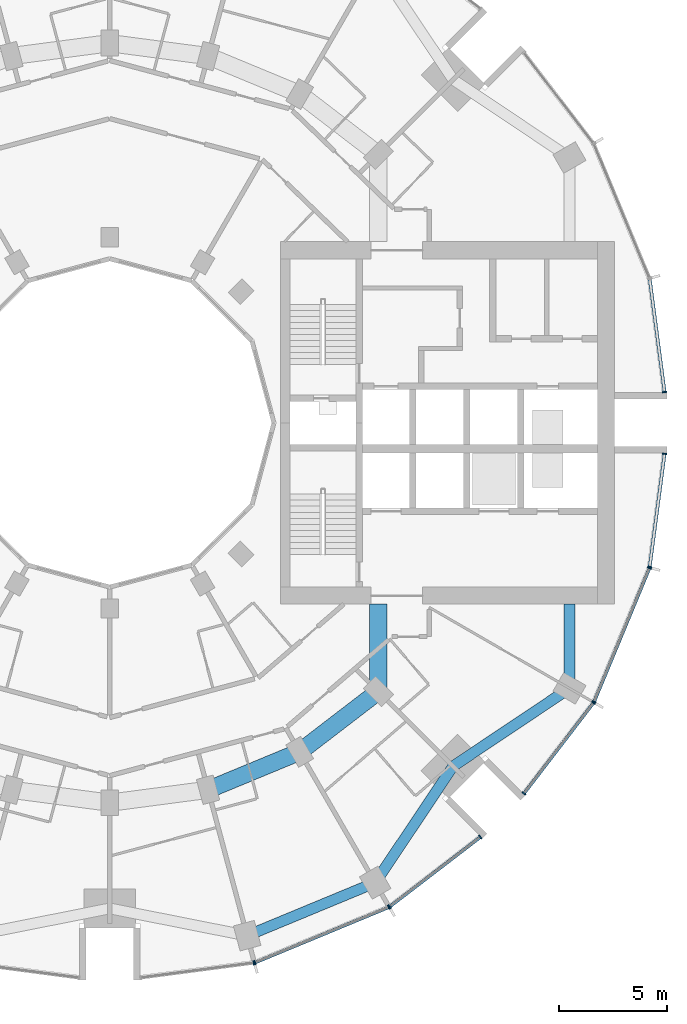
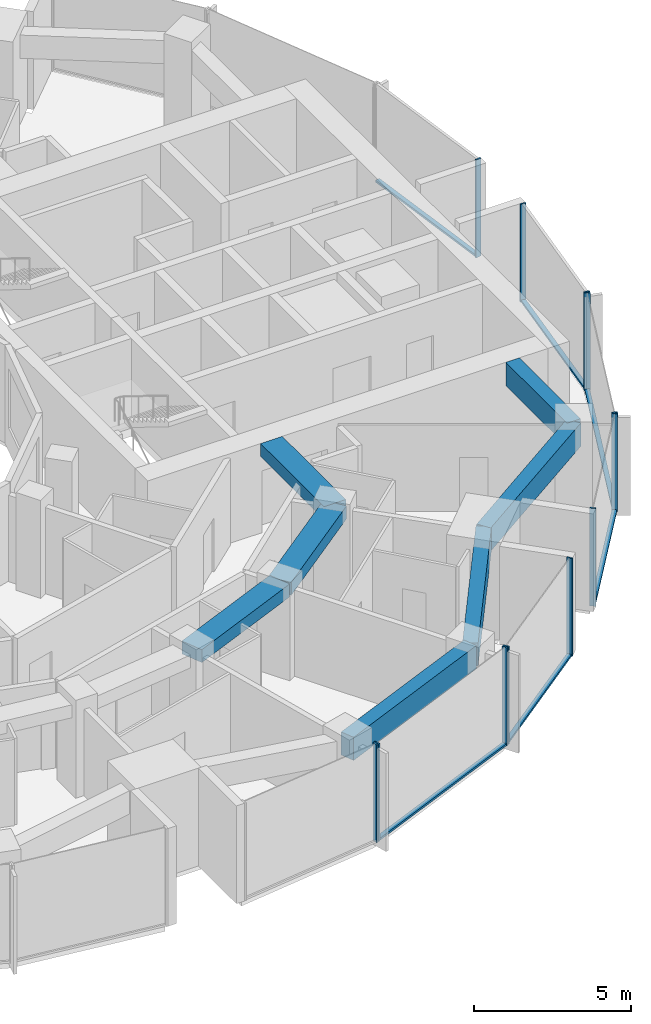
# One storey, part 4 of 15: 18 members, 7 beams, 7 elements without a shape of their own.
"""IFC4 building model written with IfcOpenShell, lengths in metres."""

from ifc_helpers import new_model, si_unit, direction, frame, origin, origin_2d, place, context, subcontext, project, spatial, rectangle, extrude, material, layer, layer_set, material_profile, profile_set, type_object, element, aggregate, save


model = new_model("IFC4")

# Units and contexts
model_context = context("Model", 3, precision=1e-05, world=origin(), true_north=direction((0.0, 1.0)))
body_context = subcontext(model_context, "Body", "Model", "MODEL_VIEW")
ifc_project = project(units=[si_unit("LENGTHUNIT", "METRE"), si_unit("AREAUNIT", "SQUARE_METRE"), si_unit("VOLUMEUNIT", "CUBIC_METRE"), si_unit("PLANEANGLEUNIT", "RADIAN"), si_unit("MASSUNIT", "GRAM", prefix="KILO")], contexts=[model_context])

# Site, building, storey
site_placement = place(None, origin())
site = spatial("IfcSite", under=ifc_project, at=site_placement, CompositionType="ELEMENT")
building_placement = place(site_placement, origin())
building = spatial("IfcBuilding", under=site, at=building_placement, Name="Torre Brocal", CompositionType="ELEMENT")
storey_placement = place(building_placement, frame((0.0, 0.0, 40.199951171875)))
storey = spatial("IfcBuildingStorey", under=building, at=storey_placement, Name="L08", CompositionType="ELEMENT", Elevation=40.199951171875)

# Curtain wall, member
ifc_material_1 = material(Name="Aluminium and glass", Category="aluminium")
ifc_layer_1 = layer(ifc_material_1, 0.199951171875)
ifc_layer_set_1 = layer_set([ifc_layer_1], Name="Aluminium and glass")
curtain_wall_type_1 = type_object("IfcCurtainWallType", Name="CW-1 CURTAIN WALL 3800 HIGH", PredefinedType="NOTDEFINED", material=ifc_layer_set_1)
curtain_wall_1_placement = place(storey_placement, origin())
curtain_wall_1 = element("IfcCurtainWall", 1, at=curtain_wall_1_placement, inside=storey, type_object=curtain_wall_type_1, Name="CW-1 RUN 19", PredefinedType="NOTDEFINED")
ifc_material_2 = material(Name="Aluminium, dark anodised", Category="aluminium")
ifc_material_profile_1 = material_profile(ifc_material_2, rectangle(XDim=0.199951171875, YDim=0.06005859375, at=origin_2d()), Name="CW-1 MULLION 60X200")
ifc_profile_set_1 = profile_set([ifc_material_profile_1], Name="Aluminium, dark anodised")
member_type_1 = type_object("IfcMemberType", Name="CW-1 MULLION 60X200", PredefinedType="MULLION", material=ifc_profile_set_1)
member_1_placement = place(storey_placement, frame((86.67333984375, 49.9794921875, 0.0), z_axis=(0.0, 0.0, 1.0), x_axis=(-0.13052619222, 0.991444861374, 0.0)))
member_1 = element("IfcMember", 2, at=member_1_placement, type_object=member_type_1, Name="CW1-1 mullion 2", PredefinedType="MULLION", context=body_context, shape_type="SweptSolid", body=[
    extrude(rectangle(XDim=0.199951171875, YDim=0.06005859375, at=origin_2d()), origin(), (0.0, 0.0, 1.0), 3.800048828125),
])
aggregate(curtain_wall_1, [member_1])

# Curtain wall, members
curtain_wall_2_placement = place(storey_placement, origin())
curtain_wall_2 = element("IfcCurtainWall", 3, at=curtain_wall_2_placement, inside=storey, type_object=curtain_wall_type_1, Name="CW-1 RUN 20", PredefinedType="NOTDEFINED")
member_2_placement = place(storey_placement, frame((86.73095703125, 49.994873046875, 0.0), z_axis=(0.0, 0.0, 1.0), x_axis=(-0.382683432333, 0.923879532525, 0.0)))
member_2 = element("IfcMember", 4, at=member_2_placement, type_object=member_type_1, Name="CW1-1 mullion 1", PredefinedType="MULLION", context=body_context, shape_type="SweptSolid", body=[
    extrude(rectangle(XDim=0.199951171875, YDim=0.06005859375, at=origin_2d()), origin(), (0.0, 0.0, 1.0), 3.800048828125),
])
member_3_placement = place(storey_placement, frame((92.921875, 52.559326171875, 0.0), z_axis=(0.0, 0.0, 1.0), x_axis=(-0.382683432333, 0.923879532525, 0.0)))
member_3 = element("IfcMember", 5, at=member_3_placement, type_object=member_type_1, Name="CW1-1 mullion 2", PredefinedType="MULLION", context=body_context, shape_type="SweptSolid", body=[
    extrude(rectangle(XDim=0.199951171875, YDim=0.06005859375, at=origin_2d()), origin(), (0.0, 0.0, 1.0), 3.800048828125),
])

curtain_wall_3_placement = place(storey_placement, origin())
curtain_wall_3 = element("IfcCurtainWall", 6, at=curtain_wall_3_placement, inside=storey, type_object=curtain_wall_type_1, Name="CW-1 RUN 21", PredefinedType="NOTDEFINED")
member_4_placement = place(storey_placement, frame((92.973388671875, 52.5888671875, 0.0), z_axis=(0.0, 0.0, 1.0), x_axis=(-0.60876142905, 0.793353340259, 0.0)))
member_4 = element("IfcMember", 7, at=member_4_placement, type_object=member_type_1, Name="CW1-1 mullion 1", PredefinedType="MULLION", context=body_context, shape_type="SweptSolid", body=[
    extrude(rectangle(XDim=0.199951171875, YDim=0.06005859375, at=origin_2d()), origin(), (0.0, 0.0, 1.0), 3.800048828125),
])
member_5_placement = place(storey_placement, frame((97.16943359375, 55.80859375, 0.0), z_axis=(0.0, 0.0, 1.0), x_axis=(-0.60876142905, 0.793353340259, 0.0)))
member_5 = element("IfcMember", 8, at=member_5_placement, type_object=member_type_1, Name="CW1-1 mullion 2", PredefinedType="MULLION", context=body_context, shape_type="SweptSolid", body=[
    extrude(rectangle(XDim=0.199951171875, YDim=0.06005859375, at=origin_2d()), origin(), (0.0, 0.0, 1.0), 3.800048828125),
])

curtain_wall_4_placement = place(storey_placement, origin())
curtain_wall_4 = element("IfcCurtainWall", 9, at=curtain_wall_4_placement, inside=storey, type_object=curtain_wall_type_1, Name="CW-1 RUN 22", PredefinedType="NOTDEFINED")
member_6_placement = place(storey_placement, frame((99.19140625, 57.83056640625, 0.0), z_axis=(0.0, 0.0, 1.0), x_axis=(-0.793353340259, 0.60876142905, 0.0)))
member_6 = element("IfcMember", 10, at=member_6_placement, type_object=member_type_1, Name="CW1-1 mullion 1", PredefinedType="MULLION", context=body_context, shape_type="SweptSolid", body=[
    extrude(rectangle(XDim=0.199951171875, YDim=0.06005859375, at=origin_2d()), origin(), (0.0, 0.0, 1.0), 3.800048828125),
])
member_7_placement = place(storey_placement, frame((102.4111328125, 62.026611328125, 0.0), z_axis=(0.0, 0.0, 1.0), x_axis=(-0.793353340259, 0.60876142905, 0.0)))
member_7 = element("IfcMember", 11, at=member_7_placement, type_object=member_type_1, Name="CW1-1 mullion 2", PredefinedType="MULLION", context=body_context, shape_type="SweptSolid", body=[
    extrude(rectangle(XDim=0.199951171875, YDim=0.06005859375, at=origin_2d()), origin(), (0.0, 0.0, 1.0), 3.800048828125),
])

curtain_wall_5_placement = place(storey_placement, origin())
curtain_wall_5 = element("IfcCurtainWall", 12, at=curtain_wall_5_placement, inside=storey, type_object=curtain_wall_type_1, Name="CW-1 RUN 23", PredefinedType="NOTDEFINED")
member_8_placement = place(storey_placement, frame((102.440673828125, 62.078125, 0.0), z_axis=(0.0, 0.0, 1.0), x_axis=(-0.923879532525, 0.382683432333, 0.0)))
member_8 = element("IfcMember", 13, at=member_8_placement, type_object=member_type_1, Name="CW1-1 mullion 1", PredefinedType="MULLION", context=body_context, shape_type="SweptSolid", body=[
    extrude(rectangle(XDim=0.199951171875, YDim=0.06005859375, at=origin_2d()), origin(), (0.0, 0.0, 1.0), 3.800048828125),
])
member_9_placement = place(storey_placement, frame((105.005126953125, 68.26904296875, 0.0), z_axis=(0.0, 0.0, 1.0), x_axis=(-0.923879532525, 0.382683432333, 0.0)))
member_9 = element("IfcMember", 14, at=member_9_placement, type_object=member_type_1, Name="CW1-1 mullion 2", PredefinedType="MULLION", context=body_context, shape_type="SweptSolid", body=[
    extrude(rectangle(XDim=0.199951171875, YDim=0.06005859375, at=origin_2d()), origin(), (0.0, 0.0, 1.0), 3.800048828125),
])

# Member
ifc_material_3 = material(Name="Aluminium, dark anodised", Category="aluminium")
ifc_material_profile_2 = material_profile(ifc_material_3, rectangle(XDim=0.159912109375, YDim=0.080078125, at=origin_2d()), Name="CW-1 TRANSOM 160X80")
ifc_profile_set_2 = profile_set([ifc_material_profile_2], Name="Aluminium, dark anodised")
member_type_2 = type_object("IfcMemberType", Name="CW-1 TRANSOM 160X80", PredefinedType="USERDEFINED", material=ifc_profile_set_2)
member_10_placement = place(storey_placement, frame((86.758544921875, 50.00634765625, 0.0400390625), z_axis=(0.923887344364, 0.38266457234, 0.0), x_axis=(-0.38266457234, 0.923887344364, 0.0)))
member_10 = element("IfcMember", 15, at=member_10_placement, type_object=member_type_2, Name="CW1-1 transom 1.1", ObjectType="TRANSOM", PredefinedType="USERDEFINED", context=body_context, shape_type="SweptSolid", body=[
    extrude(rectangle(XDim=0.159912109375, YDim=0.080078125, at=origin_2d()), origin(), (0.0, 0.0, 1.0), 6.640869140625),
])

aggregate(curtain_wall_2, [member_2, member_3, member_10])

member_11_placement = place(storey_placement, frame((92.9970703125, 52.607177734375, 0.0400390625), z_axis=(0.79336281513, 0.60874908096, 0.0), x_axis=(-0.60874908096, 0.79336281513, 0.0)))
member_11 = element("IfcMember", 16, at=member_11_placement, type_object=member_type_2, Name="CW1-1 transom 1.1", ObjectType="TRANSOM", PredefinedType="USERDEFINED", context=body_context, shape_type="SweptSolid", body=[
    extrude(rectangle(XDim=0.159912109375, YDim=0.080078125, at=origin_2d()), origin(), (0.0, 0.0, 1.0), 5.22900390625),
])

aggregate(curtain_wall_3, [member_4, member_5, member_11])

member_12_placement = place(storey_placement, frame((99.209716796875, 57.8544921875, 0.0400390625), z_axis=(0.60874908096, 0.79336281513, 0.0), x_axis=(-0.79336281513, 0.60874908096, 0.0)))
member_12 = element("IfcMember", 17, at=member_12_placement, type_object=member_type_2, Name="CW1-1 transom 1.1", ObjectType="TRANSOM", PredefinedType="USERDEFINED", context=body_context, shape_type="SweptSolid", body=[
    extrude(rectangle(XDim=0.159912109375, YDim=0.080078125, at=origin_2d()), origin(), (0.0, 0.0, 1.0), 5.22900390625),
])

aggregate(curtain_wall_4, [member_6, member_7, member_12])

member_13_placement = place(storey_placement, frame((102.452392578125, 62.10595703125, 0.0400390625), z_axis=(0.38266457234, 0.923887344364, 0.0), x_axis=(-0.923887344364, 0.38266457234, 0.0)))
member_13 = element("IfcMember", 18, at=member_13_placement, type_object=member_type_2, Name="CW1-1 transom 1.1", ObjectType="TRANSOM", PredefinedType="USERDEFINED", context=body_context, shape_type="SweptSolid", body=[
    extrude(rectangle(XDim=0.159912109375, YDim=0.080078125, at=origin_2d()), origin(), (0.0, 0.0, 1.0), 6.640869140625),
])

aggregate(curtain_wall_5, [member_8, member_9, member_13])

# Curtain wall, member
ifc_material_4 = material(Name="Aluminium and glass", Category="aluminium")
ifc_layer_2 = layer(ifc_material_4, 0.199951171875)
ifc_layer_set_2 = layer_set([ifc_layer_2], Name="Aluminium and glass")
curtain_wall_type_2 = type_object("IfcCurtainWallType", Name="CW-1B CURTAIN WALL 3800 HIGH", PredefinedType="NOTDEFINED", material=ifc_layer_set_2)
curtain_wall_6_placement = place(storey_placement, origin())
curtain_wall_6 = element("IfcCurtainWall", 19, at=curtain_wall_6_placement, inside=storey, type_object=curtain_wall_type_2, Name="CW-1B RUN 1", PredefinedType="NOTDEFINED")
ifc_material_5 = material(Name="Aluminium, dark anodised", Category="aluminium")
ifc_material_profile_3 = material_profile(ifc_material_5, rectangle(XDim=0.199951171875, YDim=0.06005859375, at=origin_2d()), Name="CW-1B MULLION 60X200")
ifc_profile_set_3 = profile_set([ifc_material_profile_3], Name="Aluminium, dark anodised")
member_type_3 = type_object("IfcMemberType", Name="CW-1B MULLION 60X200", PredefinedType="MULLION", material=ifc_profile_set_3)
member_14_placement = place(storey_placement, frame((105.7109375, 76.4296875, 0.0), z_axis=(0.0, 0.0, 1.0), x_axis=(-0.991444861374, -0.13052619222, 0.0)))
member_14 = element("IfcMember", 20, at=member_14_placement, type_object=member_type_3, Name="CW1B-1 mullion 1", PredefinedType="MULLION", context=body_context, shape_type="SweptSolid", body=[
    extrude(rectangle(XDim=0.199951171875, YDim=0.06005859375, at=origin_2d()), origin(), (0.0, 0.0, 1.0), 3.800048828125),
])

# Curtain wall, members
curtain_wall_7_placement = place(storey_placement, origin())
curtain_wall_7 = element("IfcCurtainWall", 21, at=curtain_wall_7_placement, inside=storey, type_object=curtain_wall_type_2, Name="CW-1B RUN 24", PredefinedType="NOTDEFINED")
member_15_placement = place(storey_placement, frame((105.0205078125, 68.32666015625, 0.0), z_axis=(0.0, 0.0, 1.0), x_axis=(-0.991444861374, 0.13052619222, 0.0)))
member_15 = element("IfcMember", 22, at=member_15_placement, type_object=member_type_3, Name="CW1B-1 mullion 1", PredefinedType="MULLION", context=body_context, shape_type="SweptSolid", body=[
    extrude(rectangle(XDim=0.199951171875, YDim=0.06005859375, at=origin_2d()), origin(), (0.0, 0.0, 1.0), 3.800048828125),
])
member_16_placement = place(storey_placement, frame((105.7109375, 73.5703125, 0.0), z_axis=(0.0, 0.0, 1.0), x_axis=(-0.991444861374, 0.13052619222, 0.0)))
member_16 = element("IfcMember", 23, at=member_16_placement, type_object=member_type_3, Name="CW1B-1 mullion 2", PredefinedType="MULLION", context=body_context, shape_type="SweptSolid", body=[
    extrude(rectangle(XDim=0.199951171875, YDim=0.06005859375, at=origin_2d()), origin(), (0.0, 0.0, 1.0), 3.800048828125),
])

# Member
ifc_material_6 = material(Name="Aluminium, dark anodised", Category="aluminium")
ifc_material_profile_4 = material_profile(ifc_material_6, rectangle(XDim=0.159912109375, YDim=0.080078125, at=origin_2d()), Name="CW-1B TRANSOM 160X80")
ifc_profile_set_4 = profile_set([ifc_material_profile_4], Name="Aluminium, dark anodised")
member_type_4 = type_object("IfcMemberType", Name="CW-1B TRANSOM 160X80", PredefinedType="USERDEFINED", material=ifc_profile_set_4)
member_17_placement = place(storey_placement, frame((105.70703125, 76.45947265625, 0.0400390625), z_axis=(-0.130542677827, 0.991442690863, 0.0), x_axis=(-0.991442690863, -0.130542677827, 0.0)))
member_17 = element("IfcMember", 24, at=member_17_placement, type_object=member_type_4, Name="CW1B-1 transom 1.1", ObjectType="TRANSOM", PredefinedType="USERDEFINED", context=body_context, shape_type="SweptSolid", body=[
    extrude(rectangle(XDim=0.159912109375, YDim=0.080078125, at=origin_2d()), origin(), (0.0, 0.0, 1.0), 5.22900390625),
])

aggregate(curtain_wall_6, [member_14, member_17])

member_18_placement = place(storey_placement, frame((105.0244140625, 68.356201171875, 0.0400390625), z_axis=(0.130542677827, 0.991442690863, 0.0), x_axis=(-0.991442690863, 0.130542677827, 0.0)))
member_18 = element("IfcMember", 25, at=member_18_placement, type_object=member_type_4, Name="CW1B-1 transom 1.1", ObjectType="TRANSOM", PredefinedType="USERDEFINED", context=body_context, shape_type="SweptSolid", body=[
    extrude(rectangle(XDim=0.159912109375, YDim=0.080078125, at=origin_2d()), origin(), (0.0, 0.0, 1.0), 5.22900390625),
])

aggregate(curtain_wall_7, [member_15, member_16, member_18])

# Beams
ifc_material_7 = material(Name="Concrete C50", Category="concrete")
ifc_material_profile_5 = material_profile(ifc_material_7, rectangle(XDim=0.800048828125, YDim=0.5, at=origin_2d()), Name="RC 800X500")
ifc_profile_set_5 = profile_set([ifc_material_profile_5], Name="Concrete C50")
beam_type_1 = type_object("IfcBeamType", Name="RC BEAM 800X500 C50 TOP 3480", PredefinedType="BEAM", material=ifc_profile_set_5)
beam_1_placement = place(storey_placement, frame((84.55517578125, 57.999755859375, 3.22998046875), z_axis=(0.923878240166, 0.382686552348, 0.0), x_axis=(-0.382686552348, 0.923878240166, 0.0)))
element("IfcBeam", 26, at=beam_1_placement, inside=storey, type_object=beam_type_1, Name="Beam BT-19", PredefinedType="BEAM", context=body_context, shape_type="SweptSolid", body=[
    extrude(rectangle(XDim=0.800048828125, YDim=0.5, at=origin_2d()), origin(), (0.0, 0.0, 1.0), 4.5947265625),
])
beam_2_placement = place(storey_placement, frame((88.800048828125, 59.758056640625, 3.22998046875), z_axis=(0.793358265959, 0.6087550097, 0.0), x_axis=(-0.6087550097, 0.793358265959, 0.0)))
element("IfcBeam", 27, at=beam_2_placement, inside=storey, type_object=beam_type_1, Name="Beam BT-19", PredefinedType="BEAM", context=body_context, shape_type="SweptSolid", body=[
    extrude(rectangle(XDim=0.800048828125, YDim=0.5, at=origin_2d()), origin(), (0.0, 0.0, 1.0), 4.594482421875),
])
beam_3_placement = place(storey_placement, frame((92.445068359375, 62.554931640625, 3.22998046875), z_axis=(0.0, 1.0, 0.0), x_axis=(-1.0, 0.0, 0.0)))
element("IfcBeam", 28, at=beam_3_placement, inside=storey, type_object=beam_type_1, Name="Beam BT-19", PredefinedType="BEAM", context=body_context, shape_type="SweptSolid", body=[
    extrude(rectangle(XDim=0.800048828125, YDim=0.5, at=origin_2d()), origin(), (0.0, 0.0, 1.0), 4.045166015625),
])
ifc_material_8 = material(Name="Concrete C50", Category="concrete")
ifc_material_profile_6 = material_profile(ifc_material_8, rectangle(XDim=0.5, YDim=0.89990234375, at=origin_2d()), Name="RC 500X900")
ifc_profile_set_6 = profile_set([ifc_material_profile_6], Name="Concrete C50")
beam_type_2 = type_object("IfcBeamType", Name="RC SPANDREL BEAM 500X900 C50 TOP 3480", PredefinedType="SPANDREL", material=ifc_profile_set_6)
beam_4_placement = place(storey_placement, frame((86.366943359375, 51.23828125, 3.030029296875), z_axis=(0.923882462513, 0.382676358639, 0.0), x_axis=(-0.382676358639, 0.923882462513, 0.0)))
element("IfcBeam", 29, at=beam_4_placement, inside=storey, type_object=beam_type_2, Name="Beam BT-20", PredefinedType="SPANDREL", context=body_context, shape_type="SweptSolid", body=[
    extrude(rectangle(XDim=0.5, YDim=0.89990234375, at=origin_2d()), origin(), (0.0, 0.0, 1.0), 6.421875),
])
for number, where, z_axis, x_axis, name in (
    (30, (92.300048828125, 53.69580078125, 3.030029296875), (0.556157602282, 0.831076844476, 0.0), (-0.831076844476, 0.556157602282, 0.0), "Beam BT-20"),
    (31, (95.909912109375, 59.090087890625, 3.030029296875), (0.831076844476, 0.556157602282, 0.0), (-0.556157602282, 0.831076844476, 0.0), "Beam BT-20"),
):
    element("IfcBeam", number, at=place(storey_placement, frame(where, z_axis=z_axis, x_axis=x_axis)), inside=storey, type_object=beam_type_2, Name=name, PredefinedType="SPANDREL", context=body_context, shape_type="SweptSolid", body=[
        extrude(rectangle(XDim=0.5, YDim=0.89990234375, at=origin_2d()), origin(), (0.0, 0.0, 1.0), 6.49072265625),
    ])
beam_5_placement = place(storey_placement, frame((101.30419921875, 62.699951171875, 3.030029296875), z_axis=(0.0, 1.0, 0.0), x_axis=(-1.0, 0.0, 0.0)))
element("IfcBeam", 32, at=beam_5_placement, inside=storey, type_object=beam_type_2, Name="Beam BT-20", PredefinedType="SPANDREL", context=body_context, shape_type="SweptSolid", body=[
    extrude(rectangle(XDim=0.5, YDim=0.89990234375, at=origin_2d()), origin(), (0.0, 0.0, 1.0), 3.900146484375),
])

save(model, "model.ifc")
